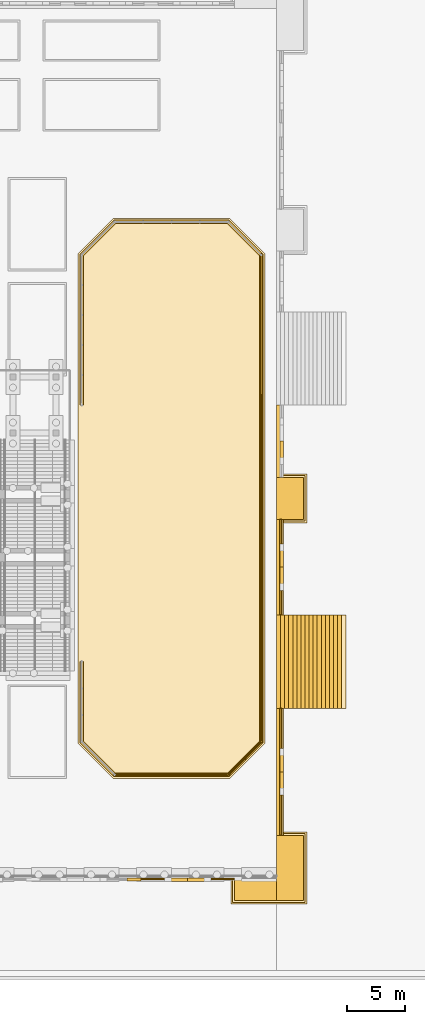
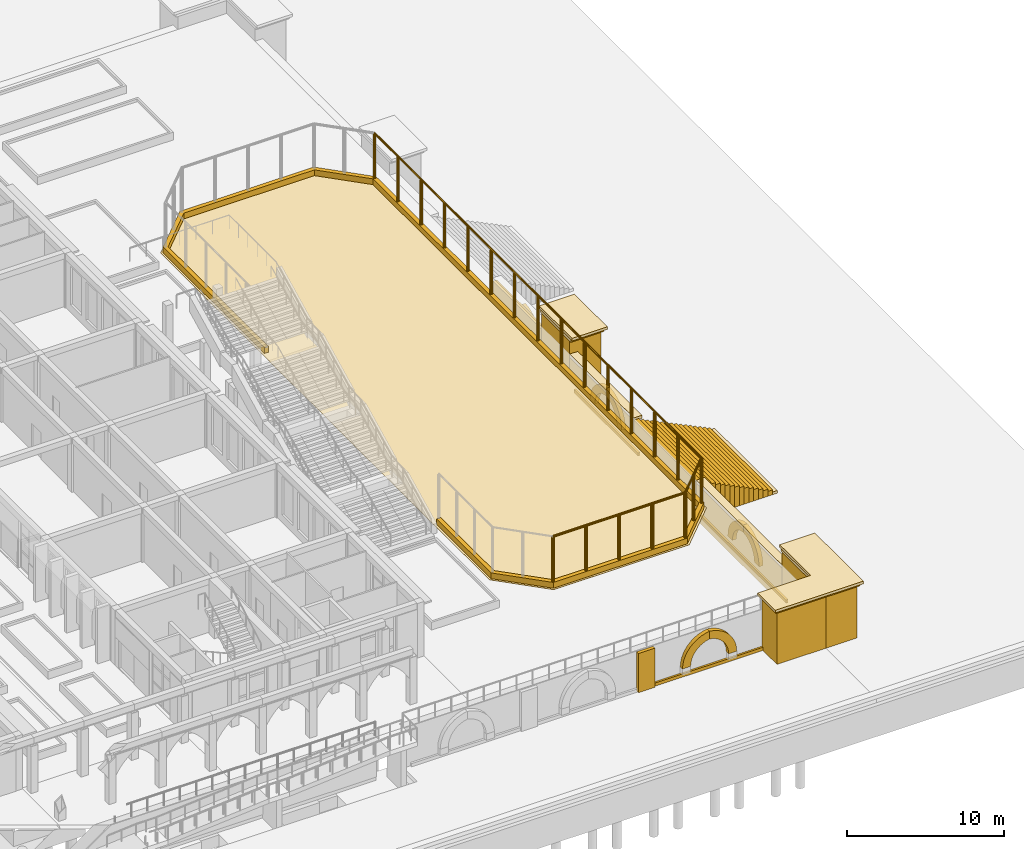
# One storey, part 140 of 161: 42 coverings, 3 railings.
"""IFC4 building model written with IfcOpenShell, lengths in metres."""

import ifcopenshell
import ifcopenshell.guid

model = None  # the IFC model being written
_history = None  # IfcOwnerHistory: only IFC2X3 demands one
_inside = {}  # id of a spatial element -> (the spatial element, [elements in it])
_under = {}  # id of a project, library or spatial element -> (it, [spatial elements below it])
_declared = {}  # id of a project -> (the project, [libraries it declares])
_typed = {}  # id of a type object -> (the type object, [elements of that type])
_made_of = {}  # id of a material, layer set ... -> (it, [elements and type objects made of it])


def new_model(schema):
    """Start an empty IFC model of exactly this schema.

    Asked for "IFC4X3", IfcOpenShell would pick the latest addendum, in which some entities
    have other attributes; the version numbers below select the first issue.
    IFC2X3 requires an IfcOwnerHistory on every rooted entity: one is made here for all.
    """
    global model, _history
    if schema == "IFC4X3":
        model = ifcopenshell.file(schema_version=(4, 3, 0, 0))
    else:
        model = ifcopenshell.file(schema=schema)
    _inside.clear()
    _under.clear()
    _declared.clear()
    _typed.clear()
    _made_of.clear()
    _history = None
    if model.schema == "IFC2X3":
        org = make("IfcOrganization", Name="unknown")
        user = make(
            "IfcPersonAndOrganization",
            ThePerson=make("IfcPerson", FamilyName="unknown"),
            TheOrganization=org,
        )
        app = make(
            "IfcApplication",
            ApplicationDeveloper=org,
            Version="unknown",
            ApplicationFullName="unknown",
            ApplicationIdentifier="unknown",
        )
        _history = make(
            "IfcOwnerHistory",
            OwningUser=user,
            OwningApplication=app,
            ChangeAction="ADDED",
            CreationDate=0,
        )
    return model


def make(cls, **values):
    """One entity of the class cls with the attributes given. An attribute that is None is left unset."""
    return model.create_entity(
        cls, **{name: value for name, value in values.items() if value is not None}
    )


def rooted(cls, **values):
    """An entity with a GlobalId (a new one), such as an element, a storey or a relation."""
    return make(cls, GlobalId=ifcopenshell.guid.new(), OwnerHistory=_history, **values)


def si_unit(unit_type, name, prefix=None):
    """IfcSIUnit, for example si_unit("LENGTHUNIT", "METRE", prefix="MILLI")."""
    return make("IfcSIUnit", UnitType=unit_type, Prefix=prefix, Name=name)


def assignment(units):
    """IfcUnitAssignment: the units of a project."""
    return None if units is None else make("IfcUnitAssignment", Units=units)


def point(xyz):
    """IfcCartesianPoint."""
    return None if xyz is None else make("IfcCartesianPoint", Coordinates=xyz)


def direction(xyz):
    """IfcDirection."""
    return None if xyz is None else make("IfcDirection", DirectionRatios=xyz)


def frame(location, z_axis=None, x_axis=None):
    """IfcAxis2Placement3D, a coordinate frame: its origin and axes. An axis left out is left unset."""
    return make(
        "IfcAxis2Placement3D",
        Location=point(location),
        Axis=direction(z_axis),
        RefDirection=direction(x_axis),
    )


def frame_2d(location, x_axis=None):
    """IfcAxis2Placement2D, a coordinate frame in the plane: its origin and x axis."""
    return make(
        "IfcAxis2Placement2D", Location=point(location), RefDirection=direction(x_axis)
    )


def origin():
    """The frame at (0, 0, 0) with its axes left unset."""
    return frame((0.0, 0.0, 0.0))


def origin_2d():
    """The frame at (0, 0) in the plane with its x axis left unset."""
    return frame_2d((0.0, 0.0))


def place(relative_to, where):
    """IfcLocalPlacement: puts the frame where relative to a parent placement (None: the world)."""
    return make(
        "IfcLocalPlacement", PlacementRelTo=relative_to, RelativePlacement=where
    )


def context(
    kind, dimensions, precision=None, world=None, true_north=None, identifier=None
):
    """IfcGeometricRepresentationContext, for example the 3D "Model" context."""
    return make(
        "IfcGeometricRepresentationContext",
        ContextIdentifier=identifier,
        ContextType=kind,
        CoordinateSpaceDimension=dimensions,
        Precision=precision,
        WorldCoordinateSystem=world,
        TrueNorth=true_north,
    )


def subcontext(parent, identifier, kind, view, scale=None):
    """IfcGeometricRepresentationSubContext, for example "Body" below "Model"."""
    return make(
        "IfcGeometricRepresentationSubContext",
        ContextIdentifier=identifier,
        ContextType=kind,
        ParentContext=parent,
        TargetScale=scale,
        TargetView=view,
    )


def project(units=None, contexts=None):
    """IfcProject with its units and contexts."""
    return rooted(
        "IfcProject",
        Name="project",
        RepresentationContexts=contexts,
        UnitsInContext=assignment(units),
    )


def spatial(cls, under=None, at=None, **own):
    """A site, building, storey or space (cls), placed at a placement, below another one or the project."""
    s = rooted(cls, ObjectPlacement=at, **own)
    if under is not None:
        _under.setdefault(under.id(), (under, []))[1].append(s)
    return s


def polyline(points):
    """IfcPolyline through the points."""
    return make("IfcPolyline", Points=[point(p) for p in points])


def profile(cls, at=None, kind="AREA", **sizes):
    """A parametric profile (cls). Its sizes go by their IFC names, for example OverallWidth=200.0."""
    return make(cls, ProfileType=kind, Position=at, **sizes)


def circle(**sizes):
    """IfcCircleProfileDef."""
    return profile("IfcCircleProfileDef", **sizes)


def outline(outer, holes=None, kind="AREA"):
    """IfcArbitraryClosedProfileDef: a profile drawn as a closed curve; with holes, ...WithVoids."""
    if holes is None:
        return make("IfcArbitraryClosedProfileDef", ProfileType=kind, OuterCurve=outer)
    return make(
        "IfcArbitraryProfileDefWithVoids",
        ProfileType=kind,
        OuterCurve=outer,
        InnerCurves=holes,
    )


def extrude(swept, where, along, depth):
    """IfcExtrudedAreaSolid: the profile swept, set in the frame where, extruded along a direction by depth."""
    return make(
        "IfcExtrudedAreaSolid",
        SweptArea=swept,
        Position=where,
        ExtrudedDirection=direction(along),
        Depth=depth,
    )


def shape(context_of_items, identifier, shape_type, items):
    """IfcShapeRepresentation: the items that make up one representation, for example the "Body"."""
    return make(
        "IfcShapeRepresentation",
        ContextOfItems=context_of_items,
        RepresentationIdentifier=identifier,
        RepresentationType=shape_type,
        Items=items,
    )


def material(Name=None, Category=None):
    """IfcMaterial."""
    return make("IfcMaterial", Name=Name, Category=Category)


def layer(
    of_material, thickness, ventilated=None, Name=None, Category=None, Priority=None
):
    """IfcMaterialLayer: one layer of a wall or slab, of a material (None: an air gap)."""
    return make(
        "IfcMaterialLayer",
        Material=of_material,
        LayerThickness=thickness,
        IsVentilated=ventilated,
        Name=Name,
        Category=Category,
        Priority=Priority,
    )


def layer_set(layers, Name=None):
    """IfcMaterialLayerSet."""
    return make("IfcMaterialLayerSet", MaterialLayers=layers, LayerSetName=Name)


def made_of(thing, what):
    """Note that an element or type object is made of a material, layer set ...; save() writes the relation."""
    if what is not None:
        _made_of.setdefault(what.id(), (what, []))[1].append(thing)
    return thing


def type_object(cls, material=None, **own):
    """A type object (cls), such as IfcWallType, which elements share."""
    return made_of(rooted(cls, **own), material)


def element(
    cls,
    number,
    at=None,
    inside=None,
    cuts=None,
    type_object=None,
    material=None,
    context=None,
    identifier="Body",
    shape_type=None,
    held_by="IfcProductDefinitionShape",
    body=None,
    shapes=None,
    **own,
):
    """One element of the class cls, such as IfcWall. Its Tag is "e" and its number.

    at: its placement. inside: the storey or other place that contains it. cuts: it is an
    opening in that element (IfcRelVoidsElement). A single representation is given by context,
    identifier, shape_type and body (its items); several are given by shapes. held_by: the class
    of the entity that holds the representations. save() writes the other relations.
    """
    e = rooted(cls, Tag="e%d" % number, ObjectPlacement=at, **own)
    if body is not None:
        shapes = [shape(context, identifier, shape_type, body)]
    if shapes is not None:
        e.Representation = make(held_by, Representations=shapes)
    if inside is not None:
        _inside.setdefault(inside.id(), (inside, []))[1].append(e)
    if cuts is not None:
        rooted(
            "IfcRelVoidsElement", RelatingBuildingElement=cuts, RelatedOpeningElement=e
        )
    if type_object is not None:
        _typed.setdefault(type_object.id(), (type_object, []))[1].append(e)
    return made_of(e, material)


def aggregate(whole, parts):
    """IfcRelAggregates: a whole, such as a stair, and the parts it consists of."""
    return rooted("IfcRelAggregates", RelatingObject=whole, RelatedObjects=parts)


def save(model, path):
    """Write the relations noted so far, then the file.

    IfcRelAggregates (storeys below a building ...), IfcRelContainedInSpatialStructure (elements
    in a storey), IfcRelDefinesByType, IfcRelAssociatesMaterial and IfcRelDeclares: one each for
    every whole, place, type object, material and project.
    """
    for whole, parts in _under.values():
        aggregate(whole, parts)
    for where, things in _inside.values():
        rooted(
            "IfcRelContainedInSpatialStructure",
            RelatedElements=things,
            RelatingStructure=where,
        )
    for kind, things in _typed.values():
        rooted("IfcRelDefinesByType", RelatedObjects=things, RelatingType=kind)
    for what, things in _made_of.values():
        rooted("IfcRelAssociatesMaterial", RelatedObjects=things, RelatingMaterial=what)
    for by, libraries in _declared.values():
        rooted("IfcRelDeclares", RelatingContext=by, RelatedDefinitions=libraries)
    model.write(path)


model = new_model("IFC4")

# Units and contexts
model_context = context("Model", 3, precision=1e-05, world=origin(), true_north=direction((0.0, 1.0)))
body_context = subcontext(model_context, "Body", "Model", "MODEL_VIEW")
ifc_project = project(units=[si_unit("LENGTHUNIT", "METRE"), si_unit("AREAUNIT", "SQUARE_METRE"), si_unit("VOLUMEUNIT", "CUBIC_METRE"), si_unit("PLANEANGLEUNIT", "RADIAN"), si_unit("MASSUNIT", "GRAM", prefix="KILO")], contexts=[model_context])

# Site, building, storey
site_placement = place(None, origin())
site = spatial("IfcSite", under=ifc_project, at=site_placement, CompositionType="ELEMENT")
building_placement = place(site_placement, origin())
building = spatial("IfcBuilding", under=site, at=building_placement, Name="Elbe Cascade School", CompositionType="ELEMENT")
storey_placement = place(building_placement, origin())
storey = spatial("IfcBuildingStorey", under=building, at=storey_placement, Name="L00", CompositionType="ELEMENT", Elevation=0.0)

# Railings
ifc_material_1 = material(Name="Steel S355J2H", Category="steel")
railing_type = type_object("IfcRailingType", Name="Ball-stop fence 4000", PredefinedType="USERDEFINED", material=ifc_material_1)
railing_1_placement = place(storey_placement, frame((186.124267578125, 8.300048828125, 0.449951171875)))
element("IfcRailing", 1, at=railing_1_placement, inside=storey, type_object=railing_type, Name="Ball-stop fence south", ObjectType="BALL-STOP FENCE", PredefinedType="USERDEFINED", context=body_context, shape_type="SweptSolid", body=[
    extrude(circle(Radius=0.06982421875, at=origin_2d()), frame((0.0, 0.0, 3.47998046875), z_axis=(1.0, 0.0, 0.0), x_axis=(0.0, 1.0, 0.0)), (0.0, 0.0, 1.0), 9.75146484375),
    extrude(circle(Radius=0.10009765625, at=origin_2d()), origin(), (0.0, 0.0, 1.0), 3.41015625),
    extrude(circle(Radius=0.10009765625, at=origin_2d()), frame((2.43798828125, 0.0, 0.0)), (0.0, 0.0, 1.0), 3.41015625),
    extrude(circle(Radius=0.10009765625, at=origin_2d()), frame((4.875732421875, 0.0, 0.0)), (0.0, 0.0, 1.0), 3.41015625),
    extrude(circle(Radius=0.10009765625, at=origin_2d()), frame((7.3134765625, 0.0, 0.0)), (0.0, 0.0, 1.0), 3.41015625),
    extrude(circle(Radius=0.10009765625, at=origin_2d()), frame((9.75146484375, 0.0, 0.0)), (0.0, 0.0, 1.0), 3.41015625),
])
railing_2_placement = place(storey_placement, frame((195.875732421875, 8.300048828125, 0.449951171875)))
element("IfcRailing", 2, at=railing_2_placement, inside=storey, type_object=railing_type, Name="Ball-stop fence south east", ObjectType="BALL-STOP FENCE", PredefinedType="USERDEFINED", context=body_context, shape_type="SweptSolid", body=[
    extrude(circle(Radius=0.06982421875, at=origin_2d()), frame((0.0, 0.0, 3.47998046875), z_axis=(0.707106781187, 0.707106781187, 0.0), x_axis=(-0.707106781187, 0.707106781187, 0.0)), (0.0, 0.0, 1.0), 3.994140625),
    extrude(circle(Radius=0.10009765625, at=origin_2d()), origin(), (0.0, 0.0, 1.0), 3.41015625),
    extrude(circle(Radius=0.10009765625, at=origin_2d()), frame((1.412109375, 1.412109375, 0.0)), (0.0, 0.0, 1.0), 3.41015625),
    extrude(circle(Radius=0.10009765625, at=origin_2d()), frame((2.82421875, 2.82421875, 0.0)), (0.0, 0.0, 1.0), 3.41015625),
])
railing_3_placement = place(storey_placement, frame((198.699951171875, 11.124267578125, 0.449951171875)))
element("IfcRailing", 3, at=railing_3_placement, inside=storey, type_object=railing_type, Name="Ball-stop fence east", ObjectType="BALL-STOP FENCE", PredefinedType="USERDEFINED", context=body_context, shape_type="SweptSolid", body=[
    extrude(circle(Radius=0.06982421875, at=origin_2d()), frame((0.0, 0.0, 3.47998046875), z_axis=(0.0, 1.0, 0.0), x_axis=(-1.0, 0.0, 0.0)), (0.0, 0.0, 1.0), 41.75146484375),
    extrude(circle(Radius=0.10009765625, at=origin_2d()), origin(), (0.0, 0.0, 1.0), 3.41015625),
    extrude(circle(Radius=0.10009765625, at=origin_2d()), frame((0.0, 2.982177734375, 0.0)), (0.0, 0.0, 1.0), 3.41015625),
    extrude(circle(Radius=0.10009765625, at=origin_2d()), frame((0.0, 5.964599609375, 0.0)), (0.0, 0.0, 1.0), 3.41015625),
    extrude(circle(Radius=0.10009765625, at=origin_2d()), frame((0.0, 8.94677734375, 0.0)), (0.0, 0.0, 1.0), 3.41015625),
    extrude(circle(Radius=0.10009765625, at=origin_2d()), frame((0.0, 11.928955078125, 0.0)), (0.0, 0.0, 1.0), 3.41015625),
    extrude(circle(Radius=0.10009765625, at=origin_2d()), frame((0.0, 14.9111328125, 0.0)), (0.0, 0.0, 1.0), 3.41015625),
    extrude(circle(Radius=0.10009765625, at=origin_2d()), frame((0.0, 17.8935546875, 0.0)), (0.0, 0.0, 1.0), 3.41015625),
    extrude(circle(Radius=0.10009765625, at=origin_2d()), frame((0.0, 20.875732421875, 0.0)), (0.0, 0.0, 1.0), 3.41015625),
    extrude(circle(Radius=0.10009765625, at=origin_2d()), frame((0.0, 23.85791015625, 0.0)), (0.0, 0.0, 1.0), 3.41015625),
    extrude(circle(Radius=0.10009765625, at=origin_2d()), frame((0.0, 26.84033203125, 0.0)), (0.0, 0.0, 1.0), 3.41015625),
    extrude(circle(Radius=0.10009765625, at=origin_2d()), frame((0.0, 29.822509765625, 0.0)), (0.0, 0.0, 1.0), 3.41015625),
    extrude(circle(Radius=0.10009765625, at=origin_2d()), frame((0.0, 32.8046875, 0.0)), (0.0, 0.0, 1.0), 3.41015625),
    extrude(circle(Radius=0.10009765625, at=origin_2d()), frame((0.0, 35.786865234375, 0.0)), (0.0, 0.0, 1.0), 3.41015625),
    extrude(circle(Radius=0.10009765625, at=origin_2d()), frame((0.0, 38.769287109375, 0.0)), (0.0, 0.0, 1.0), 3.41015625),
    extrude(circle(Radius=0.10009765625, at=origin_2d()), frame((0.0, 41.75146484375, 0.0)), (0.0, 0.0, 1.0), 3.41015625),
])

# Coverings
ifc_material_2 = material(Name="Concrete C30/37 precast kerb", Category="concrete")
ifc_layer_1 = layer(ifc_material_2, 0.300048828125)
ifc_layer_set_1 = layer_set([ifc_layer_1], Name="Concrete C30/37 precast kerb")
covering_type_1 = type_object("IfcCoveringType", Name="Ball-stop fence kerb 300x450", PredefinedType="CLADDING", material=ifc_layer_set_1)
covering_1_placement = place(storey_placement, origin())
element("IfcCovering", 4, at=covering_1_placement, inside=storey, type_object=covering_type_1, Name="Ball-stop fence kerb", PredefinedType="CLADDING", context=body_context, shape_type="SweptSolid", body=[
    extrude(outline(polyline([(183.449951171875, 18.0), (183.14990234375, 18.0), (183.14990234375, 11.06201171875), (186.06201171875, 8.14990234375), (195.93798828125, 8.14990234375), (198.85009765625, 11.06201171875), (198.85009765625, 52.93798828125), (195.93798828125, 55.85009765625), (186.06201171875, 55.85009765625), (183.14990234375, 52.93798828125), (183.14990234375, 40.0), (183.449951171875, 40.0), (183.449951171875, 52.813720703125), (186.186279296875, 55.550048828125), (195.813720703125, 55.550048828125), (198.550048828125, 52.813720703125), (198.550048828125, 11.186279296875), (195.813720703125, 8.449951171875), (186.186279296875, 8.449951171875), (183.449951171875, 11.186279296875), (183.449951171875, 18.0)])), origin(), (0.0, 0.0, 1.0), 0.449951171875),
])
ifc_material_3 = material(Name="Sandstone - red", Category="masonry")
ifc_layer_2 = layer(ifc_material_3, 0.199951171875)
ifc_layer_set_2 = layer_set([ifc_layer_2], Name="Sandstone - red")
covering_type_2 = type_object("IfcCoveringType", Name="Bastion coping course 200", PredefinedType="CLADDING", material=ifc_layer_set_2)
covering_2_placement = place(storey_placement, frame((0.0, 0.0, 1.0)))
element("IfcCovering", 5, at=covering_2_placement, inside=storey, type_object=covering_type_2, Name="Bastion coping course 1 E1", PredefinedType="CLADDING", context=body_context, shape_type="SweptSolid", body=[
    extrude(outline(polyline([(202.449951171875, 30.050048828125), (202.449951171875, 33.949951171875), (200.0, 33.949951171875), (200.0, 30.050048828125), (202.449951171875, 30.050048828125)])), origin(), (0.0, 0.0, 1.0), 0.199951171875),
])
covering_3_placement = place(storey_placement, frame((0.0, 0.0, 1.199951171875)))
element("IfcCovering", 6, at=covering_3_placement, inside=storey, type_object=covering_type_2, Name="Bastion coping course 2 E1", PredefinedType="CLADDING", context=body_context, shape_type="SweptSolid", body=[
    extrude(outline(polyline([(202.60009765625, 29.89990234375), (202.60009765625, 34.10009765625), (200.0, 34.10009765625), (200.0, 29.89990234375), (202.60009765625, 29.89990234375)])), origin(), (0.0, 0.0, 1.0), 0.199951171875),
])
covering_4_placement = place(storey_placement, frame((0.0, 0.0, 1.0)))
element("IfcCovering", 7, at=covering_4_placement, inside=storey, type_object=covering_type_2, Name="Bastion coping course 1 SE", PredefinedType="CLADDING", context=body_context, shape_type="SweptSolid", body=[
    extrude(outline(polyline([(196.25, -2.64990234375), (202.449951171875, -2.64990234375), (202.449951171875, 3.25), (200.0, 3.25), (200.0, -0.56005859375), (196.25, -0.56005859375), (196.25, -2.64990234375)])), origin(), (0.0, 0.0, 1.0), 0.199951171875),
])
covering_5_placement = place(storey_placement, frame((0.0, 0.0, 1.199951171875)))
element("IfcCovering", 8, at=covering_5_placement, inside=storey, type_object=covering_type_2, Name="Bastion coping course 2 SE", PredefinedType="CLADDING", context=body_context, shape_type="SweptSolid", body=[
    extrude(outline(polyline([(196.10009765625, -2.800048828125), (202.60009765625, -2.800048828125), (202.60009765625, 3.39990234375), (200.0, 3.39990234375), (200.0, -0.56005859375), (196.10009765625, -0.56005859375), (196.10009765625, -2.800048828125)])), origin(), (0.0, 0.0, 1.0), 0.199951171875),
])
ifc_material_4 = material(Name="Sandstone - red", Category="masonry")
ifc_layer_3 = layer(ifc_material_4, 0.35009765625)
ifc_layer_set_3 = layer_set([ifc_layer_3], Name="Sandstone - red")
covering_type_3 = type_object("IfcCoveringType", Name="Ghat step 350x170", PredefinedType="CLADDING", material=ifc_layer_set_3)
covering_6_placement = place(storey_placement, frame((0.0, 0.0, -3.10009765625)))
element("IfcCovering", 9, at=covering_6_placement, inside=storey, type_object=covering_type_3, Name="Ghat step east 1.1", PredefinedType="CLADDING", context=body_context, shape_type="SweptSolid", body=[
    extrude(outline(polyline([(200.0, 14.0), (200.35009765625, 14.0), (200.35009765625, 22.0), (200.0, 22.0), (200.0, 14.0)])), origin(), (0.0, 0.0, 1.0), 2.93017578125),
])
covering_7_placement = place(storey_placement, frame((0.0, 0.0, -3.10009765625)))
element("IfcCovering", 10, at=covering_7_placement, inside=storey, type_object=covering_type_3, Name="Ghat step east 1.2", PredefinedType="CLADDING", context=body_context, shape_type="SweptSolid", body=[
    extrude(outline(polyline([(200.35009765625, 14.0), (200.699951171875, 14.0), (200.699951171875, 22.0), (200.35009765625, 22.0), (200.35009765625, 14.0)])), origin(), (0.0, 0.0, 1.0), 2.760009765625),
])
covering_8_placement = place(storey_placement, frame((0.0, 0.0, -3.10009765625)))
element("IfcCovering", 11, at=covering_8_placement, inside=storey, type_object=covering_type_3, Name="Ghat step east 1.3", PredefinedType="CLADDING", context=body_context, shape_type="SweptSolid", body=[
    extrude(outline(polyline([(200.699951171875, 14.0), (201.050048828125, 14.0), (201.050048828125, 22.0), (200.699951171875, 22.0), (200.699951171875, 14.0)])), origin(), (0.0, 0.0, 1.0), 2.590087890625),
])
covering_9_placement = place(storey_placement, frame((0.0, 0.0, -3.10009765625)))
element("IfcCovering", 12, at=covering_9_placement, inside=storey, type_object=covering_type_3, Name="Ghat step east 1.4", PredefinedType="CLADDING", context=body_context, shape_type="SweptSolid", body=[
    extrude(outline(polyline([(201.050048828125, 14.0), (201.39990234375, 14.0), (201.39990234375, 22.0), (201.050048828125, 22.0), (201.050048828125, 14.0)])), origin(), (0.0, 0.0, 1.0), 2.420166015625),
])
covering_10_placement = place(storey_placement, frame((0.0, 0.0, -3.10009765625)))
element("IfcCovering", 13, at=covering_10_placement, inside=storey, type_object=covering_type_3, Name="Ghat step east 1.5", PredefinedType="CLADDING", context=body_context, shape_type="SweptSolid", body=[
    extrude(outline(polyline([(201.39990234375, 14.0), (201.75, 14.0), (201.75, 22.0), (201.39990234375, 22.0), (201.39990234375, 14.0)])), origin(), (0.0, 0.0, 1.0), 2.25),
])
covering_11_placement = place(storey_placement, frame((0.0, 0.0, -3.10009765625)))
element("IfcCovering", 14, at=covering_11_placement, inside=storey, type_object=covering_type_3, Name="Ghat step east 1.6", PredefinedType="CLADDING", context=body_context, shape_type="SweptSolid", body=[
    extrude(outline(polyline([(201.75, 14.0), (202.10009765625, 14.0), (202.10009765625, 22.0), (201.75, 22.0), (201.75, 14.0)])), origin(), (0.0, 0.0, 1.0), 2.080078125),
])
covering_12_placement = place(storey_placement, frame((0.0, 0.0, -3.10009765625)))
element("IfcCovering", 15, at=covering_12_placement, inside=storey, type_object=covering_type_3, Name="Ghat step east 1.7", PredefinedType="CLADDING", context=body_context, shape_type="SweptSolid", body=[
    extrude(outline(polyline([(202.10009765625, 14.0), (202.449951171875, 14.0), (202.449951171875, 22.0), (202.10009765625, 22.0), (202.10009765625, 14.0)])), origin(), (0.0, 0.0, 1.0), 1.91015625),
])
covering_13_placement = place(storey_placement, frame((0.0, 0.0, -3.10009765625)))
element("IfcCovering", 16, at=covering_13_placement, inside=storey, type_object=covering_type_3, Name="Ghat step east 1.8", PredefinedType="CLADDING", context=body_context, shape_type="SweptSolid", body=[
    extrude(outline(polyline([(202.449951171875, 14.0), (202.800048828125, 14.0), (202.800048828125, 22.0), (202.449951171875, 22.0), (202.449951171875, 14.0)])), origin(), (0.0, 0.0, 1.0), 1.739990234375),
])
covering_14_placement = place(storey_placement, frame((0.0, 0.0, -3.10009765625)))
element("IfcCovering", 17, at=covering_14_placement, inside=storey, type_object=covering_type_3, Name="Ghat step east 1.9", PredefinedType="CLADDING", context=body_context, shape_type="SweptSolid", body=[
    extrude(outline(polyline([(202.800048828125, 14.0), (203.14990234375, 14.0), (203.14990234375, 22.0), (202.800048828125, 22.0), (202.800048828125, 14.0)])), origin(), (0.0, 0.0, 1.0), 1.570068359375),
])
covering_15_placement = place(storey_placement, frame((0.0, 0.0, -3.10009765625)))
element("IfcCovering", 18, at=covering_15_placement, inside=storey, type_object=covering_type_3, Name="Ghat step east 1.10", PredefinedType="CLADDING", context=body_context, shape_type="SweptSolid", body=[
    extrude(outline(polyline([(203.14990234375, 14.0), (203.5, 14.0), (203.5, 22.0), (203.14990234375, 22.0), (203.14990234375, 14.0)])), origin(), (0.0, 0.0, 1.0), 1.400146484375),
])
covering_16_placement = place(storey_placement, frame((0.0, 0.0, -3.10009765625)))
element("IfcCovering", 19, at=covering_16_placement, inside=storey, type_object=covering_type_3, Name="Ghat step east 1.11", PredefinedType="CLADDING", context=body_context, shape_type="SweptSolid", body=[
    extrude(outline(polyline([(203.5, 14.0), (203.85009765625, 14.0), (203.85009765625, 22.0), (203.5, 22.0), (203.5, 14.0)])), origin(), (0.0, 0.0, 1.0), 1.22998046875),
])
covering_17_placement = place(storey_placement, frame((0.0, 0.0, -3.10009765625)))
element("IfcCovering", 20, at=covering_17_placement, inside=storey, type_object=covering_type_3, Name="Ghat step east 1.12", PredefinedType="CLADDING", context=body_context, shape_type="SweptSolid", body=[
    extrude(outline(polyline([(203.85009765625, 14.0), (204.199951171875, 14.0), (204.199951171875, 22.0), (203.85009765625, 22.0), (203.85009765625, 14.0)])), origin(), (0.0, 0.0, 1.0), 1.06005859375),
])
covering_18_placement = place(storey_placement, frame((0.0, 0.0, -3.10009765625)))
element("IfcCovering", 21, at=covering_18_placement, inside=storey, type_object=covering_type_3, Name="Ghat step east 1.13", PredefinedType="CLADDING", context=body_context, shape_type="SweptSolid", body=[
    extrude(outline(polyline([(204.199951171875, 14.0), (204.550048828125, 14.0), (204.550048828125, 22.0), (204.199951171875, 22.0), (204.199951171875, 14.0)])), origin(), (0.0, 0.0, 1.0), 0.89013671875),
])
covering_19_placement = place(storey_placement, frame((0.0, 0.0, -3.10009765625)))
element("IfcCovering", 22, at=covering_19_placement, inside=storey, type_object=covering_type_3, Name="Ghat step east 1.14", PredefinedType="CLADDING", context=body_context, shape_type="SweptSolid", body=[
    extrude(outline(polyline([(204.550048828125, 14.0), (204.89990234375, 14.0), (204.89990234375, 22.0), (204.550048828125, 22.0), (204.550048828125, 14.0)])), origin(), (0.0, 0.0, 1.0), 0.72021484375),
])
covering_20_placement = place(storey_placement, frame((0.0, 0.0, -3.10009765625)))
element("IfcCovering", 23, at=covering_20_placement, inside=storey, type_object=covering_type_3, Name="Ghat step east 1.15", PredefinedType="CLADDING", context=body_context, shape_type="SweptSolid", body=[
    extrude(outline(polyline([(204.89990234375, 14.0), (205.25, 14.0), (205.25, 22.0), (204.89990234375, 22.0), (204.89990234375, 14.0)])), origin(), (0.0, 0.0, 1.0), 0.550048828125),
])
covering_21_placement = place(storey_placement, frame((0.0, 0.0, -3.10009765625)))
element("IfcCovering", 24, at=covering_21_placement, inside=storey, type_object=covering_type_3, Name="Ghat step east 1.16", PredefinedType="CLADDING", context=body_context, shape_type="SweptSolid", body=[
    extrude(outline(polyline([(205.25, 14.0), (205.60009765625, 14.0), (205.60009765625, 22.0), (205.25, 22.0), (205.25, 14.0)])), origin(), (0.0, 0.0, 1.0), 0.380126953125),
])
covering_22_placement = place(storey_placement, frame((0.0, 0.0, -3.10009765625)))
element("IfcCovering", 25, at=covering_22_placement, inside=storey, type_object=covering_type_3, Name="Ghat step east 1.17", PredefinedType="CLADDING", context=body_context, shape_type="SweptSolid", body=[
    extrude(outline(polyline([(205.60009765625, 14.0), (205.949951171875, 14.0), (205.949951171875, 22.0), (205.60009765625, 22.0), (205.60009765625, 14.0)])), origin(), (0.0, 0.0, 1.0), 0.210205078125),
])
ifc_material_5 = material(Name="Sandstone - red", Category="masonry")
ifc_layer_4 = layer(ifc_material_5, 0.14990234375)
ifc_layer_set_4 = layer_set([ifc_layer_4], Name="Sandstone - red")
covering_type_4 = type_object("IfcCoveringType", Name="Plinth base course 150x250", PredefinedType="CLADDING", material=ifc_layer_set_4)
covering_23_placement = place(storey_placement, frame((0.0, 0.0, -3.10009765625)))
element("IfcCovering", 26, at=covering_23_placement, inside=storey, type_object=covering_type_4, Name="Plinth base course east 0.1.1", PredefinedType="CLADDING", context=body_context, shape_type="SweptSolid", body=[
    extrude(outline(polyline([(200.300048828125, 3.10009765625), (200.449951171875, 3.10009765625), (200.449951171875, 14.0), (200.300048828125, 14.0), (200.300048828125, 3.10009765625)])), origin(), (0.0, 0.0, 1.0), 0.25),
])
covering_24_placement = place(storey_placement, frame((0.0, 0.0, -3.10009765625)))
element("IfcCovering", 27, at=covering_24_placement, inside=storey, type_object=covering_type_4, Name="Plinth base course east 0.2.1", PredefinedType="CLADDING", context=body_context, shape_type="SweptSolid", body=[
    extrude(outline(polyline([(200.300048828125, 22.0), (200.449951171875, 22.0), (200.449951171875, 30.199951171875), (200.300048828125, 30.199951171875), (200.300048828125, 22.0)])), origin(), (0.0, 0.0, 1.0), 0.25),
])
covering_25_placement = place(storey_placement, frame((0.0, 0.0, -3.10009765625)))
element("IfcCovering", 28, at=covering_25_placement, inside=storey, type_object=covering_type_4, Name="Plinth base course south 0.6.3", PredefinedType="CLADDING", context=body_context, shape_type="SweptSolid", body=[
    extrude(outline(polyline([(188.36669921875, -0.7099609375), (196.39990234375, -0.7099609375), (196.39990234375, -0.56005859375), (188.36669921875, -0.56005859375), (188.36669921875, -0.7099609375)])), origin(), (0.0, 0.0, 1.0), 0.25),
])
ifc_material_6 = material(Name="Sandstone - red", Category="masonry")
ifc_layer_5 = layer(ifc_material_6, 2.300048828125)
ifc_layer_set_5 = layer_set([ifc_layer_5], Name="Sandstone - red")
covering_type_5 = type_object("IfcCoveringType", Name="Plinth bastion 3600x2300", PredefinedType="CLADDING", material=ifc_layer_set_5)
covering_26_placement = place(storey_placement, frame((0.0, 0.0, -3.10009765625)))
element("IfcCovering", 29, at=covering_26_placement, inside=storey, type_object=covering_type_5, Name="Plinth bastion E1 1", PredefinedType="CLADDING", context=body_context, shape_type="SweptSolid", body=[
    extrude(outline(polyline([(200.0, 30.199951171875), (202.300048828125, 30.199951171875), (202.300048828125, 33.800048828125), (200.0, 33.800048828125), (200.0, 30.199951171875)])), origin(), (0.0, 0.0, 1.0), 4.10009765625),
])
covering_27_placement = place(storey_placement, frame((0.0, 0.0, -3.10009765625)))
element("IfcCovering", 30, at=covering_27_placement, inside=storey, type_object=covering_type_5, Name="Plinth bastion SE 1", PredefinedType="CLADDING", context=body_context, shape_type="SweptSolid", body=[
    extrude(outline(polyline([(200.0, -2.5), (202.300048828125, -2.5), (202.300048828125, 3.10009765625), (200.0, 3.10009765625), (200.0, -2.5)])), origin(), (0.0, 0.0, 1.0), 4.10009765625),
])
covering_28_placement = place(storey_placement, frame((0.0, 0.0, -3.10009765625)))
element("IfcCovering", 31, at=covering_28_placement, inside=storey, type_object=covering_type_5, Name="Plinth bastion SE 2", PredefinedType="CLADDING", context=body_context, shape_type="SweptSolid", body=[
    extrude(outline(polyline([(196.39990234375, -2.5), (200.0, -2.5), (200.0, -0.56005859375), (196.39990234375, -0.56005859375), (196.39990234375, -2.5)])), origin(), (0.0, 0.0, 1.0), 4.10009765625),
])
ifc_material_7 = material(Name="Sandstone - red", Category="masonry")
ifc_layer_6 = layer(ifc_material_7, 0.25)
ifc_layer_set_6 = layer_set([ifc_layer_6], Name="Sandstone - red")
covering_type_6 = type_object("IfcCoveringType", Name="Plinth coping 600x250", PredefinedType="CLADDING", material=ifc_layer_set_6)
covering_29_placement = place(storey_placement, frame((0.0, 0.0, -0.25)))
element("IfcCovering", 32, at=covering_29_placement, inside=storey, type_object=covering_type_6, Name="Plinth coping east 1", PredefinedType="CLADDING", context=body_context, shape_type="SweptSolid", body=[
    extrude(outline(polyline([(200.0, 3.10009765625), (200.60009765625, 3.10009765625), (200.60009765625, 14.0), (200.0, 14.0), (200.0, 3.10009765625)])), origin(), (0.0, 0.0, 1.0), 0.25),
])
covering_30_placement = place(storey_placement, frame((0.0, 0.0, -0.25)))
element("IfcCovering", 33, at=covering_30_placement, inside=storey, type_object=covering_type_6, Name="Plinth coping east 2", PredefinedType="CLADDING", context=body_context, shape_type="SweptSolid", body=[
    extrude(outline(polyline([(200.0, 22.0), (200.60009765625, 22.0), (200.60009765625, 30.199951171875), (200.0, 30.199951171875), (200.0, 22.0)])), origin(), (0.0, 0.0, 1.0), 0.25),
])
ifc_material_8 = material(Name="Sandstone - red", Category="masonry")
ifc_layer_7 = layer(ifc_material_8, 0.300048828125)
ifc_layer_set_7 = layer_set([ifc_layer_7], Name="Sandstone - red")
covering_type_7 = type_object("IfcCoveringType", Name="Plinth facing 300", PredefinedType="CLADDING", material=ifc_layer_set_7)
covering_31_placement = place(storey_placement, frame((0.0, 0.0, -3.10009765625)))
element("IfcCovering", 34, at=covering_31_placement, inside=storey, type_object=covering_type_7, Name="Plinth facing east 1", PredefinedType="CLADDING", context=body_context, shape_type="SweptSolid", body=[
    extrude(outline(polyline([(200.0, 3.10009765625), (200.300048828125, 3.10009765625), (200.300048828125, 14.0), (200.0, 14.0), (200.0, 3.10009765625)])), origin(), (0.0, 0.0, 1.0), 2.85009765625),
])
covering_32_placement = place(storey_placement, frame((0.0, 0.0, -3.10009765625)))
element("IfcCovering", 35, at=covering_32_placement, inside=storey, type_object=covering_type_7, Name="Plinth facing east 2", PredefinedType="CLADDING", context=body_context, shape_type="SweptSolid", body=[
    extrude(outline(polyline([(200.0, 22.0), (200.300048828125, 22.0), (200.300048828125, 30.199951171875), (200.0, 30.199951171875), (200.0, 22.0)])), origin(), (0.0, 0.0, 1.0), 2.85009765625),
])
covering_33_placement = place(storey_placement, frame((0.0, 0.0, -3.10009765625)))
element("IfcCovering", 36, at=covering_33_placement, inside=storey, type_object=covering_type_7, Name="Plinth facing east 3", PredefinedType="CLADDING", context=body_context, shape_type="SweptSolid", body=[
    extrude(outline(polyline([(200.0, 33.800048828125), (200.300048828125, 33.800048828125), (200.300048828125, 40.0), (200.0, 40.0), (200.0, 33.800048828125)])), origin(), (0.0, 0.0, 1.0), 2.85009765625),
])
ifc_material_9 = material(Name="Sandstone - red", Category="masonry")
ifc_layer_8 = layer(ifc_material_9, 0.300048828125)
ifc_layer_set_8 = layer_set([ifc_layer_8], Name="Sandstone - red")
covering_type_8 = type_object("IfcCoveringType", Name="Plinth niche arch band 600x300", PredefinedType="CLADDING", material=ifc_layer_set_8)
covering_34_placement = place(storey_placement, frame((200.60009765625, 6.550048828125, -2.35009765625), z_axis=(1.0, 0.0, 0.0), x_axis=(0.0, 1.0, 0.0)))
element("IfcCovering", 37, at=covering_34_placement, inside=storey, type_object=covering_type_8, Name="Plinth niche arch band east 0.1.1a", PredefinedType="CLADDING", context=body_context, shape_type="SweptSolid", body=[
    extrude(outline(polyline([(0.0, 0.0), (0.599853515625, 0.0), (0.616943359375, 0.221923828125), (0.66796875, 0.438720703125), (0.751220703125, 0.64501953125), (0.865234375, 0.83642578125), (1.007080078125, 1.0078125), (1.173583984375, 1.15576171875), (1.360595703125, 1.2763671875), (1.56396484375, 1.366943359375), (1.77880859375, 1.42529296875), (2.0, 1.4501953125), (2.0, 2.05029296875), (1.684814453125, 2.01806640625), (1.37841796875, 1.9375), (1.088134765625, 1.81103515625), (0.82080078125, 1.64111328125), (0.582763671875, 1.43212890625), (0.379638671875, 1.189208984375), (0.216552734375, 0.91748046875), (0.09716796875, 0.624267578125), (0.0244140625, 0.31591796875), (0.0, 0.0)])), origin(), (0.0, 0.0, -1.0), 0.300048828125),
])
covering_35_placement = place(storey_placement, frame((200.60009765625, 10.525390625, -2.0341796875), z_axis=(1.0, 0.0, 0.0), x_axis=(0.0, -0.229640615433, 0.973275494268)))
element("IfcCovering", 38, at=covering_35_placement, inside=storey, type_object=covering_type_8, Name="Plinth niche arch band east 0.1.1b", PredefinedType="CLADDING", context=body_context, shape_type="SweptSolid", body=[
    extrude(outline(polyline([(0.0, 0.0), (0.31681637027835047, 0.0), (0.6296088823787412, 0.04886067811575373), (0.9315267427864806, 0.14518832098545423), (1.2145444352234966, 0.28686300931093206), (1.4726067943887962, 0.47054739410121904), (1.6993783319645008, 0.6917160459280074), (1.8891803432917578, 0.9454377254653902), (2.037954729394572, 1.2251445961231031), (2.1416433912969475, 1.5242688213108815), (1.5575830483008861, 1.66207561641209), (1.4825516767193998, 1.4525140307106628), (1.3764245808426212, 1.2568113139460797), (1.2416232623821883, 1.0799146970257483), (1.0812393643827247, 0.9253590720062276), (0.899007955873922, 0.7972800499997257), (0.6996279279093016, 0.6985824547516934), (0.4872108101606949, 0.6318080070394001), (0.26725112189532263, 0.5979178949791348), (0.04458659872137888, 0.5982791165847868), (-0.17533094702333402, 0.6326087149319284), (-0.3131377421245425, 0.04854837193586718), (0.0, 0.0)])), origin(), (0.0, 0.0, -1.0), 0.300048828125),
])
covering_36_placement = place(storey_placement, frame((200.60009765625, 24.10009765625, -2.35009765625), z_axis=(1.0, 0.0, 0.0), x_axis=(0.0, 1.0, 0.0)))
element("IfcCovering", 39, at=covering_36_placement, inside=storey, type_object=covering_type_8, Name="Plinth niche arch band east 0.2.1a", PredefinedType="CLADDING", context=body_context, shape_type="SweptSolid", body=[
    extrude(outline(polyline([(0.0, 0.0), (0.599853515625, 0.0), (0.616943359375, 0.221923828125), (0.667724609375, 0.438720703125), (0.751220703125, 0.64501953125), (0.864990234375, 0.83642578125), (1.007080078125, 1.0078125), (1.173583984375, 1.15576171875), (1.360595703125, 1.2763671875), (1.56396484375, 1.366943359375), (1.77880859375, 1.42529296875), (2.0, 1.4501953125), (2.0, 2.05029296875), (1.684814453125, 2.01806640625), (1.37841796875, 1.9375), (1.088134765625, 1.81103515625), (0.82080078125, 1.64111328125), (0.582763671875, 1.43212890625), (0.379638671875, 1.189208984375), (0.216552734375, 0.91748046875), (0.09716796875, 0.624267578125), (0.0244140625, 0.31591796875), (0.0, 0.0)])), origin(), (0.0, 0.0, -1.0), 0.300048828125),
])
covering_37_placement = place(storey_placement, frame((200.60009765625, 28.075439453125, -2.0341796875), z_axis=(1.0, 0.0, 0.0), x_axis=(0.0, -0.229640615433, 0.973275494268)))
element("IfcCovering", 40, at=covering_37_placement, inside=storey, type_object=covering_type_8, Name="Plinth niche arch band east 0.2.1b", PredefinedType="CLADDING", context=body_context, shape_type="SweptSolid", body=[
    extrude(outline(polyline([(0.0, 0.0), (0.31681637027835047, 0.0), (0.6296088823787412, 0.04886067811575373), (0.9315267427864806, 0.14518832098545423), (1.2146004998268738, 0.2871006253983999), (1.4726067943887962, 0.47054739410121904), (1.699434396567878, 0.6919536620154754), (1.8891803432917578, 0.9454377254653902), (2.037954729394572, 1.2251445961231031), (2.1416433912969475, 1.5242688213108815), (1.5575830483008861, 1.66207561641209), (1.4825516767193998, 1.4525140307106628), (1.3764806454459984, 1.2570489300335477), (1.2416232623821883, 1.0799146970257483), (1.0812393643827247, 0.9253590720062276), (0.899007955873922, 0.7972800499997257), (0.6996279279093016, 0.6985824547516934), (0.4872108101606949, 0.6318080070394001), (0.26725112189532263, 0.5979178949791348), (0.04458659872137888, 0.5982791165847868), (-0.17533094702333402, 0.6326087149319284), (-0.3131377421245425, 0.04854837193586718), (0.0, 0.0)])), origin(), (0.0, 0.0, -1.0), 0.300048828125),
])
covering_38_placement = place(storey_placement, frame((200.60009765625, 34.89990234375, -2.35009765625), z_axis=(1.0, 0.0, 0.0), x_axis=(0.0, 1.0, 0.0)))
element("IfcCovering", 41, at=covering_38_placement, inside=storey, type_object=covering_type_8, Name="Plinth niche arch band east 0.3.1a", PredefinedType="CLADDING", context=body_context, shape_type="SweptSolid", body=[
    extrude(outline(polyline([(0.0, 0.0), (0.60009765625, 0.0), (0.6171875, 0.221923828125), (0.66796875, 0.438720703125), (0.75146484375, 0.64501953125), (0.865234375, 0.83642578125), (1.007080078125, 1.0078125), (1.173583984375, 1.15576171875), (1.36083984375, 1.2763671875), (1.564208984375, 1.366943359375), (1.77880859375, 1.42529296875), (2.0, 1.4501953125), (2.0, 2.05029296875), (1.68505859375, 2.01806640625), (1.378662109375, 1.9375), (1.08837890625, 1.81103515625), (0.82080078125, 1.64111328125), (0.5830078125, 1.43212890625), (0.3798828125, 1.189208984375), (0.216796875, 0.91748046875), (0.097412109375, 0.624267578125), (0.024658203125, 0.31591796875), (0.0, 0.0)])), origin(), (0.0, 0.0, -1.0), 0.300048828125),
])
covering_39_placement = place(storey_placement, frame((190.38330078125, -0.860107421875, -2.35009765625), z_axis=(0.0, -1.0, 0.0), x_axis=(1.0, 0.0, 0.0)))
element("IfcCovering", 42, at=covering_39_placement, inside=storey, type_object=covering_type_8, Name="Plinth niche arch band south 0.6.3a", PredefinedType="CLADDING", context=body_context, shape_type="SweptSolid", body=[
    extrude(outline(polyline([(0.0, 0.0), (0.60009765625, 0.0), (0.61669921875, 0.234619140625), (0.665771484375, 0.464599609375), (0.746826171875, 0.685302734375), (0.85791015625, 0.892578125), (0.997314453125, 1.08203125), (1.16162109375, 1.250244140625), (1.347900390625, 1.393798828125), (1.552490234375, 1.509521484375), (1.771240234375, 1.595703125), (2.0, 1.650146484375), (2.0, 2.256103515625), (1.6767578125, 2.193115234375), (1.365966796875, 2.083984375), (1.07421875, 1.930908203125), (0.807861328125, 1.737548828125), (0.572021484375, 1.507568359375), (0.3720703125, 1.245849609375), (0.2119140625, 0.9580078125), (0.094970703125, 0.650146484375), (0.02392578125, 0.32861328125), (0.0, 0.0)])), origin(), (0.0, 0.0, -1.0), 0.300048828125),
])
covering_40_placement = place(storey_placement, frame((194.359619140625, -0.860107421875, -2.021484375), z_axis=(0.0, -1.0, 0.0), x_axis=(-0.216459489286, 0.0, 0.976291600649)))
element("IfcCovering", 43, at=covering_40_placement, inside=storey, type_object=covering_type_8, Name="Plinth niche arch band south 0.6.3b", PredefinedType="CLADDING", context=body_context, shape_type="SweptSolid", body=[
    extrude(outline(polyline([(0.0, 0.0), (0.32934135960117644, 0.0), (0.6552172882599979, 0.04753131365268612), (0.9708493103907654, 0.14134607453088394), (1.2696973028493448, 0.28014356965241727), (1.545222228379718, 0.4603722209510249), (1.7917058001605646, 0.6787986155785705), (2.004304414248379, 0.9304949932625219), (2.178121620144654, 1.2102952412887826), (2.3095853888902678, 1.512239462730118), (1.7179946289265977, 1.643404612243703), (1.6153248124213089, 1.4318531562628691), (1.4838358872676634, 1.2369442025363775), (1.3265714168747689, 1.0622541235758152), (1.1460982597686034, 0.9114649850027724), (0.946254849459528, 0.7872267157841368), (0.7311708184544712, 0.6923747507733593), (0.5047644130403548, 0.6287911150576317), (0.2717487496053557, 0.5974313901794459), (0.036545745541084515, 0.5990656517947303), (-0.19605166998772164, 0.6338815775662812), (-0.3259485021812721, 0.048011276200165015), (0.0, 0.0)])), origin(), (0.0, 0.0, -1.0), 0.300048828125),
])
ifc_material_10 = material(Name="Sandstone - red", Category="masonry")
ifc_layer_9 = layer(ifc_material_10, 0.25)
ifc_layer_set_9 = layer_set([ifc_layer_9], Name="Sandstone - red")
covering_type_9 = type_object("IfcCoveringType", Name="Plinth pilaster 1200x250", PredefinedType="CLADDING", material=ifc_layer_set_9)
covering_41_placement = place(storey_placement, frame((0.0, 0.0, -3.10009765625)))
element("IfcCovering", 44, at=covering_41_placement, inside=storey, type_object=covering_type_9, Name="Plinth pilaster south 0.6.2", PredefinedType="CLADDING", context=body_context, shape_type="SweptSolid", body=[
    extrude(outline(polyline([(187.166748046875, -0.81005859375), (188.36669921875, -0.81005859375), (188.36669921875, -0.56005859375), (187.166748046875, -0.56005859375), (187.166748046875, -0.81005859375)])), origin(), (0.0, 0.0, 1.0), 3.050048828125),
])
ifc_material_11 = material(Name="Polymer sports surface", Category="surfacing")
ifc_layer_10 = layer(ifc_material_11, 0.030029296875)
ifc_layer_set_10 = layer_set([ifc_layer_10], Name="Polymer sports surface")
covering_type_10 = type_object("IfcCoveringType", Name="Polymer sports surface 30", PredefinedType="FLOORING", material=ifc_layer_set_10)
covering_42_placement = place(storey_placement, frame((0.0, 0.0, -0.030029296875)))
element("IfcCovering", 45, at=covering_42_placement, inside=storey, type_object=covering_type_10, Name="Sports ground surfacing", PredefinedType="FLOORING", context=body_context, shape_type="SweptSolid", body=[
    extrude(outline(polyline([(186.0, 8.0), (196.0, 8.0), (199.0, 11.0), (199.0, 53.0), (196.0, 56.0), (186.0, 56.0), (183.0, 53.0), (183.0, 11.0), (186.0, 8.0)])), origin(), (0.0, 0.0, 1.0), 0.030029296875),
])

save(model, "model.ifc")
